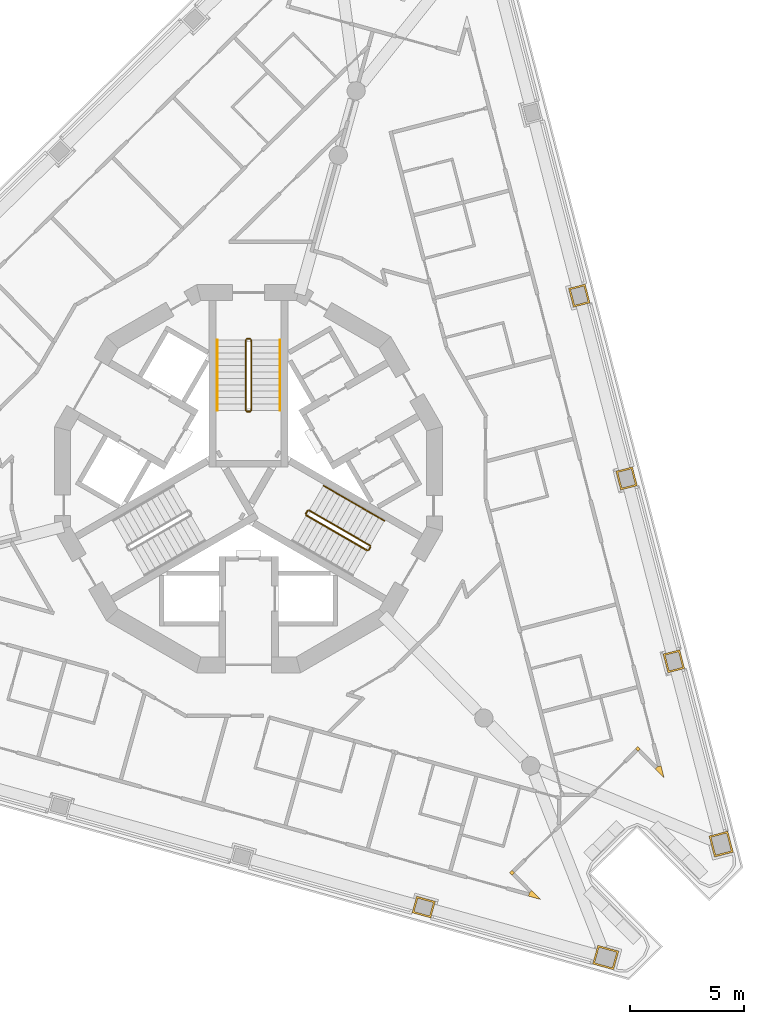
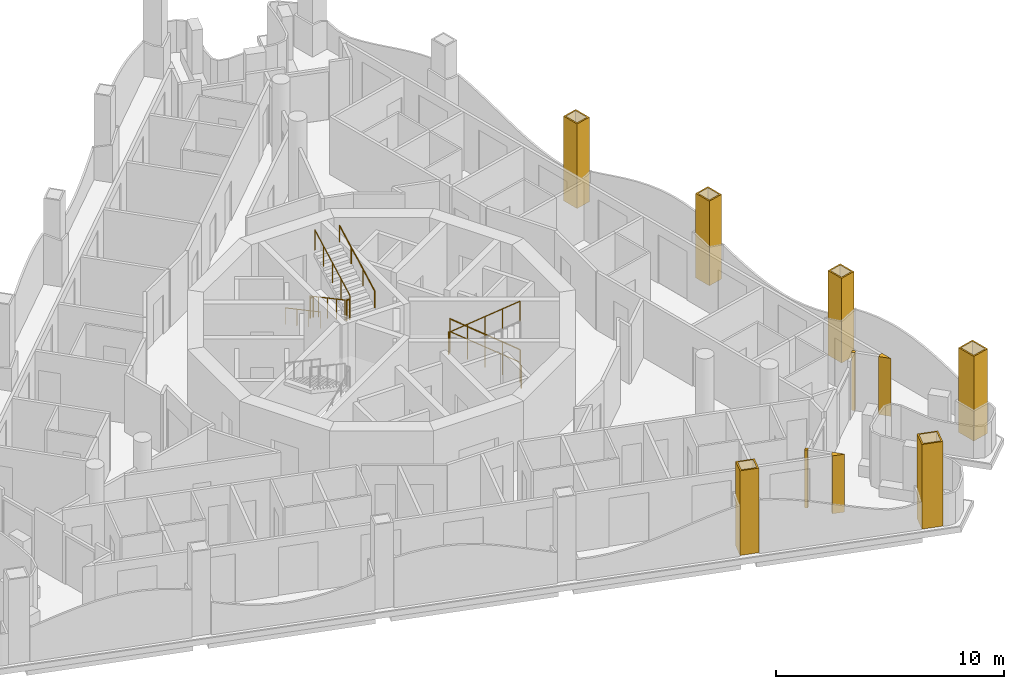
# One storey, part 13 of 15: 12 railings, 10 coverings.
"""IFC4 building model written with IfcOpenShell, lengths in metres."""

from ifc_helpers import new_model, si_unit, direction, frame, origin, origin_2d, place, context, subcontext, project, spatial, polyline, circle, outline, extrude, material, layer, layer_set, type_object, element, save


model = new_model("IFC4")

# Units and contexts
model_context = context("Model", 3, precision=1e-05, world=origin(), true_north=direction((0.0, 1.0)))
body_context = subcontext(model_context, "Body", "Model", "MODEL_VIEW")
ifc_project = project(units=[si_unit("LENGTHUNIT", "METRE"), si_unit("AREAUNIT", "SQUARE_METRE"), si_unit("VOLUMEUNIT", "CUBIC_METRE"), si_unit("PLANEANGLEUNIT", "RADIAN"), si_unit("MASSUNIT", "GRAM", prefix="KILO")], contexts=[model_context])

# Site, building, storey
site_placement = place(None, origin())
site = spatial("IfcSite", under=ifc_project, at=site_placement, CompositionType="ELEMENT")
building_placement = place(site_placement, origin())
building = spatial("IfcBuilding", under=site, at=building_placement, Name="Trine Commons Tower", CompositionType="ELEMENT")
storey_placement = place(building_placement, frame((0.0, 0.0, 263.699951171875)))
storey = spatial("IfcBuildingStorey", under=building, at=storey_placement, Name="L69", CompositionType="ELEMENT", Elevation=263.699951171875)

# Coverings
ifc_material_1 = material(Name="Aluminium-framed insulated wall panel", Category="aluminium")
ifc_layer_1 = layer(ifc_material_1, 0.14990234375)
ifc_layer_set_1 = layer_set([ifc_layer_1], Name="Aluminium-framed insulated wall panel")
covering_type_1 = type_object("IfcCoveringType", Name="Glazing corner post, aluminium", PredefinedType="CLADDING", material=ifc_layer_set_1)
covering_1_placement = place(storey_placement, origin())
element("IfcCovering", 1, at=covering_1_placement, inside=storey, type_object=covering_type_1, Name="Glazing corner post 7-06", PredefinedType="CLADDING", context=body_context, shape_type="SweptSolid", body=[
    extrude(outline(polyline([(97.80859375, 49.78515625), (98.200927734375, 49.3857421875), (98.060791015625, 49.927734375), (97.91552734375, 49.890380859375), (97.91552734375, 49.890380859375), (97.80859375, 49.78515625)])), origin(), (0.0, 0.0, 1.0), 3.10009765625),
])
covering_2_placement = place(storey_placement, origin())
element("IfcCovering", 2, at=covering_2_placement, inside=storey, type_object=covering_type_1, Name="Glazing corner post 7-07", PredefinedType="CLADDING", context=body_context, shape_type="SweptSolid", body=[
    extrude(outline(polyline([(96.9423828125, 50.66650390625), (97.047607421875, 50.5595703125), (97.154541015625, 50.66455078125), (97.04931640625, 50.771484375), (96.9423828125, 50.66650390625)])), origin(), (0.0, 0.0, 1.0), 3.10009765625),
])
covering_3_placement = place(storey_placement, origin())
element("IfcCovering", 3, at=covering_3_placement, inside=storey, type_object=covering_type_1, Name="Glazing corner post 7-08", PredefinedType="CLADDING", context=body_context, shape_type="SweptSolid", body=[
    extrude(outline(polyline([(91.5341796875, 45.1416015625), (91.64111328125, 45.24658203125), (91.535888671875, 45.353515625), (91.428955078125, 45.24853515625), (91.5341796875, 45.1416015625)])), origin(), (0.0, 0.0, 1.0), 3.10009765625),
])
covering_4_placement = place(storey_placement, origin())
element("IfcCovering", 4, at=covering_4_placement, inside=storey, type_object=covering_type_1, Name="Glazing corner post 7-09", PredefinedType="CLADDING", context=body_context, shape_type="SweptSolid", body=[
    extrude(outline(polyline([(92.255126953125, 44.222412109375), (92.79443359375, 44.072998046875), (92.402099609375, 44.47216796875), (92.295166015625, 44.3671875), (92.255126953125, 44.222412109375)])), origin(), (0.0, 0.0, 1.0), 3.10009765625),
])
ifc_material_2 = material(Name="Limestone, honed", Category="masonry")
ifc_layer_2 = layer(ifc_material_2, 0.074951171875)
ifc_layer_set_2 = layer_set([ifc_layer_2], Name="Limestone, honed")
covering_type_2 = type_object("IfcCoveringType", Name="Limestone column cladding 75", PredefinedType="CLADDING", material=ifc_layer_set_2)
covering_5_placement = place(storey_placement, origin())
element("IfcCovering", 5, at=covering_5_placement, inside=storey, type_object=covering_type_2, Name="Limestone pier cladding 7-01", PredefinedType="CLADDING", context=body_context, shape_type="SweptSolid", body=[
    extrude(outline(polyline([(95.292724609375, 42.0673828125), (95.0654296875, 41.248291015625), (95.98095703125, 40.994384765625), (96.2080078125, 41.8134765625), (95.292724609375, 42.0673828125)]), holes=[polyline([(95.344970703125, 41.97509765625), (95.15771484375, 41.300537109375), (95.9287109375, 41.086669921875), (96.11572265625, 41.76123046875), (95.344970703125, 41.97509765625)])]), origin(), (0.0, 0.0, 1.0), 4.527099609375),
])
covering_6_placement = place(storey_placement, origin())
element("IfcCovering", 6, at=covering_6_placement, inside=storey, type_object=covering_type_2, Name="Limestone pier cladding 7-02", PredefinedType="CLADDING", context=body_context, shape_type="SweptSolid", body=[
    extrude(outline(polyline([(87.359619140625, 44.215576171875), (87.158935546875, 43.492919921875), (87.97802734375, 43.265869140625), (88.1787109375, 43.988525390625), (87.359619140625, 44.215576171875)]), holes=[polyline([(87.41162109375, 44.123291015625), (87.25146484375, 43.545166015625), (87.92578125, 43.358154296875), (88.086181640625, 43.936279296875), (87.41162109375, 44.123291015625)])]), origin(), (0.0, 0.0, 1.0), 4.527099609375),
])
covering_7_placement = place(storey_placement, origin())
element("IfcCovering", 7, at=covering_7_placement, inside=storey, type_object=covering_type_2, Name="Limestone pier cladding 7-15", PredefinedType="CLADDING", context=body_context, shape_type="SweptSolid", body=[
    extrude(outline(polyline([(94.738525390625, 71.02099609375), (94.012451171875, 70.833251953125), (94.225341796875, 70.01025390625), (94.951416015625, 70.197998046875), (94.738525390625, 71.02099609375)]), holes=[polyline([(94.684814453125, 70.9296875), (94.10400390625, 70.779296875), (94.279296875, 70.101806640625), (94.860107421875, 70.251953125), (94.684814453125, 70.9296875)])]), origin(), (0.0, 0.0, 1.0), 4.527099609375),
])
covering_8_placement = place(storey_placement, origin())
element("IfcCovering", 8, at=covering_8_placement, inside=storey, type_object=covering_type_2, Name="Limestone pier cladding 7-16", PredefinedType="CLADDING", context=body_context, shape_type="SweptSolid", body=[
    extrude(outline(polyline([(96.808837890625, 63.015625), (96.082763671875, 62.827880859375), (96.295654296875, 62.0048828125), (97.021728515625, 62.192626953125), (96.808837890625, 63.015625)]), holes=[polyline([(96.755126953125, 62.92431640625), (96.17431640625, 62.77392578125), (96.349609375, 62.09619140625), (96.930419921875, 62.24658203125), (96.755126953125, 62.92431640625)])]), origin(), (0.0, 0.0, 1.0), 4.527099609375),
])
covering_9_placement = place(storey_placement, origin())
element("IfcCovering", 9, at=covering_9_placement, inside=storey, type_object=covering_type_2, Name="Limestone pier cladding 7-17", PredefinedType="CLADDING", context=body_context, shape_type="SweptSolid", body=[
    extrude(outline(polyline([(98.87939453125, 55.010498046875), (98.1533203125, 54.822509765625), (98.3662109375, 53.99951171875), (99.09228515625, 54.1875), (98.87939453125, 55.010498046875)]), holes=[polyline([(98.825439453125, 54.9189453125), (98.24462890625, 54.768798828125), (98.419921875, 54.091064453125), (99.000732421875, 54.2412109375), (98.825439453125, 54.9189453125)])]), origin(), (0.0, 0.0, 1.0), 4.527099609375),
])
covering_10_placement = place(storey_placement, origin())
element("IfcCovering", 10, at=covering_10_placement, inside=storey, type_object=covering_type_2, Name="Limestone pier cladding 7-18", PredefinedType="CLADDING", context=body_context, shape_type="SweptSolid", body=[
    extrude(outline(polyline([(100.985595703125, 47.06591796875), (100.16259765625, 46.853271484375), (100.400390625, 45.933349609375), (101.223388671875, 46.146240234375), (100.985595703125, 47.06591796875)]), holes=[polyline([(100.931640625, 46.974609375), (100.25390625, 46.79931640625), (100.454345703125, 46.02490234375), (101.132080078125, 46.2001953125), (100.931640625, 46.974609375)])]), origin(), (0.0, 0.0, 1.0), 4.527099609375),
])

# Railings
ifc_material_3 = material(Name="Stainless steel balustrade", Category="steel")
railing_type_1 = type_object("IfcRailingType", Name="Stair guard, steel balustrade 1100", PredefinedType="GUARDRAIL", material=ifc_material_3)
railing_1_placement = place(storey_placement, frame((79.875, 68.570556640625, 0.150146484375)))
element("IfcRailing", 11, at=railing_1_placement, inside=storey, type_object=railing_type_1, Name="L69 ST1C stair guard 1", PredefinedType="GUARDRAIL", context=body_context, shape_type="SweptSolid", body=[
    extrude(circle(Radius=0.02392578125, at=origin_2d()), frame((0.0, 0.0, 1.076171875), z_axis=(0.0, -0.881496589024, 0.472190389079), x_axis=(1.0, 0.0, 0.0)), (0.0, 0.0, 1.0), 3.494140625),
    extrude(circle(Radius=0.02099609375, at=origin_2d()), origin(), (0.0, 0.0, 1.0), 1.052001953125),
    extrude(circle(Radius=0.02099609375, at=origin_2d()), frame((0.0, -0.77001953125, 0.41259765625)), (0.0, 0.0, 1.0), 1.052001953125),
    extrude(circle(Radius=0.02099609375, at=origin_2d()), frame((0.0, -1.5400390625, 0.824951171875)), (0.0, 0.0, 1.0), 1.052001953125),
    extrude(circle(Radius=0.02099609375, at=origin_2d()), frame((0.0, -2.31005859375, 1.2373046875)), (0.0, 0.0, 1.0), 1.052001953125),
    extrude(circle(Radius=0.02099609375, at=origin_2d()), frame((0.0, -3.080078125, 1.64990234375)), (0.0, 0.0, 1.0), 1.052001953125),
])
railing_2_placement = place(storey_placement, frame((79.925048828125, 65.440673828125, 1.800048828125)))
element("IfcRailing", 12, at=railing_2_placement, inside=storey, type_object=railing_type_1, Name="L69 ST1C stair guard 2", PredefinedType="GUARDRAIL", context=body_context, shape_type="SweptSolid", body=[
    extrude(circle(Radius=0.02392578125, at=origin_2d()), frame((0.0, 0.0, 1.076171875), z_axis=(1.0, 0.0, 0.0), x_axis=(0.0, 1.0, 0.0)), (0.0, 0.0, 1.0), 0.14990234375),
    extrude(circle(Radius=0.02099609375, at=origin_2d()), origin(), (0.0, 0.0, 1.0), 1.052001953125),
    extrude(circle(Radius=0.02099609375, at=origin_2d()), frame((0.14990234375, 0.0, 0.0)), (0.0, 0.0, 1.0), 1.052001953125),
])
railing_3_placement = place(storey_placement, frame((80.125, 65.490478515625, 1.949951171875)))
element("IfcRailing", 13, at=railing_3_placement, inside=storey, type_object=railing_type_1, Name="L69 ST1C stair guard 3", PredefinedType="GUARDRAIL", context=body_context, shape_type="SweptSolid", body=[
    extrude(circle(Radius=0.02392578125, at=origin_2d()), frame((0.0, 0.0, 1.076171875), z_axis=(0.0, 0.881467505477, 0.472244678941), x_axis=(-1.0, 0.0, 0.0)), (0.0, 0.0, 1.0), 3.494140625),
    extrude(circle(Radius=0.02099609375, at=origin_2d()), origin(), (0.0, 0.0, 1.0), 1.052001953125),
    extrude(circle(Radius=0.02099609375, at=origin_2d()), frame((0.0, 0.77001953125, 0.41259765625)), (0.0, 0.0, 1.0), 1.052001953125),
    extrude(circle(Radius=0.02099609375, at=origin_2d()), frame((0.0, 1.5400390625, 0.8251953125)), (0.0, 0.0, 1.0), 1.052001953125),
    extrude(circle(Radius=0.02099609375, at=origin_2d()), frame((0.0, 2.31005859375, 1.237548828125)), (0.0, 0.0, 1.0), 1.052001953125),
    extrude(circle(Radius=0.02099609375, at=origin_2d()), frame((0.0, 3.080078125, 1.650146484375)), (0.0, 0.0, 1.0), 1.052001953125),
])
railing_4_placement = place(storey_placement, frame((79.925048828125, 68.62060546875, 0.0)))
element("IfcRailing", 14, at=railing_4_placement, inside=storey, type_object=railing_type_1, Name="L69 ST1C stair guard 4", PredefinedType="GUARDRAIL", context=body_context, shape_type="SweptSolid", body=[
    extrude(circle(Radius=0.02392578125, at=origin_2d()), frame((0.0, 0.0, 1.076171875), z_axis=(1.0, 0.0, 0.0), x_axis=(0.0, 1.0, 0.0)), (0.0, 0.0, 1.0), 0.14990234375),
    extrude(circle(Radius=0.02099609375, at=origin_2d()), origin(), (0.0, 0.0, 1.0), 1.052001953125),
    extrude(circle(Radius=0.02099609375, at=origin_2d()), frame((0.14990234375, 0.0, 0.0)), (0.0, 0.0, 1.0), 1.052001953125),
])
railing_5_placement = place(storey_placement, frame((85.31982421875, 59.572998046875, 0.150146484375)))
element("IfcRailing", 15, at=railing_5_placement, inside=storey, type_object=railing_type_1, Name="L69 ST3C stair guard 1", PredefinedType="GUARDRAIL", context=body_context, shape_type="SweptSolid", body=[
    extrude(circle(Radius=0.02392578125, at=origin_2d()), frame((0.0, 0.0, 1.076171875), z_axis=(-0.76340495495, 0.440743040072, 0.472184759798), x_axis=(-0.499992328818, -0.866029832698, 0.0)), (0.0, 0.0, 1.0), 3.494140625),
    extrude(circle(Radius=0.02099609375, at=origin_2d()), origin(), (0.0, 0.0, 1.0), 1.052001953125),
    extrude(circle(Radius=0.02099609375, at=origin_2d()), frame((-0.6669921875, 0.385009765625, 0.41259765625)), (0.0, 0.0, 1.0), 1.052001953125),
    extrude(circle(Radius=0.02099609375, at=origin_2d()), frame((-1.333740234375, 0.77001953125, 0.824951171875)), (0.0, 0.0, 1.0), 1.052001953125),
    extrude(circle(Radius=0.02099609375, at=origin_2d()), frame((-2.00048828125, 1.155029296875, 1.2373046875)), (0.0, 0.0, 1.0), 1.052001953125),
    extrude(circle(Radius=0.02099609375, at=origin_2d()), frame((-2.66748046875, 1.5400390625, 1.64990234375)), (0.0, 0.0, 1.0), 1.052001953125),
])
railing_6_placement = place(storey_placement, frame((82.584228515625, 61.0947265625, 1.800048828125)))
element("IfcRailing", 16, at=railing_6_placement, inside=storey, type_object=railing_type_1, Name="L69 ST3C stair guard 2", PredefinedType="GUARDRAIL", context=body_context, shape_type="SweptSolid", body=[
    extrude(circle(Radius=0.02392578125, at=origin_2d()), frame((0.0, 0.0, 1.076171875), z_axis=(-0.501036270542, -0.865426285481, 0.0), x_axis=(0.865426285481, -0.501036270542, 0.0)), (0.0, 0.0, 1.0), 0.150146484375),
    extrude(circle(Radius=0.02099609375, at=origin_2d()), origin(), (0.0, 0.0, 1.0), 1.052001953125),
    extrude(circle(Radius=0.02099609375, at=origin_2d()), frame((-0.0751953125, -0.1298828125, 0.0)), (0.0, 0.0, 1.0), 1.052001953125),
])
railing_7_placement = place(storey_placement, frame((82.52734375, 60.896484375, 1.949951171875)))
element("IfcRailing", 17, at=railing_7_placement, inside=storey, type_object=railing_type_1, Name="L69 ST3C stair guard 3", PredefinedType="GUARDRAIL", context=body_context, shape_type="SweptSolid", body=[
    extrude(circle(Radius=0.02392578125, at=origin_2d()), frame((0.0, 0.0, 1.076171875), z_axis=(0.763379768245, -0.440728498818, 0.472239049384), x_axis=(0.499992328818, 0.866029832698, 0.0)), (0.0, 0.0, 1.0), 3.494384765625),
    extrude(circle(Radius=0.02099609375, at=origin_2d()), origin(), (0.0, 0.0, 1.0), 1.052001953125),
    extrude(circle(Radius=0.02099609375, at=origin_2d()), frame((0.6669921875, -0.385009765625, 0.41259765625)), (0.0, 0.0, 1.0), 1.052001953125),
    extrude(circle(Radius=0.02099609375, at=origin_2d()), frame((1.333740234375, -0.77001953125, 0.8251953125)), (0.0, 0.0, 1.0), 1.052001953125),
    extrude(circle(Radius=0.02099609375, at=origin_2d()), frame((2.00048828125, -1.155029296875, 1.237548828125)), (0.0, 0.0, 1.0), 1.052001953125),
    extrude(circle(Radius=0.02099609375, at=origin_2d()), frame((2.66748046875, -1.5400390625, 1.650146484375)), (0.0, 0.0, 1.0), 1.052001953125),
])
railing_8_placement = place(storey_placement, frame((85.338134765625, 59.504638671875, 0.0)))
element("IfcRailing", 18, at=railing_8_placement, inside=storey, type_object=railing_type_1, Name="L69 ST3C stair guard 4", PredefinedType="GUARDRAIL", context=body_context, shape_type="SweptSolid", body=[
    extrude(circle(Radius=0.02392578125, at=origin_2d()), frame((0.0, 0.0, 1.076171875), z_axis=(-0.499816412211, -0.866131372301, 0.0), x_axis=(0.866131372301, -0.499816412211, 0.0)), (0.0, 0.0, 1.0), 0.14990234375),
    extrude(circle(Radius=0.02099609375, at=origin_2d()), origin(), (0.0, 0.0, 1.0), 1.052001953125),
    extrude(circle(Radius=0.02099609375, at=origin_2d()), frame((-0.074951171875, -0.1298828125, 0.0)), (0.0, 0.0, 1.0), 1.052001953125),
])
ifc_material_4 = material(Name="Stainless steel handrail", Category="steel")
railing_type_2 = type_object("IfcRailingType", Name="Stair handrail, steel 900", PredefinedType="HANDRAIL", material=ifc_material_4)
railing_9_placement = place(storey_placement, frame((78.625, 68.570556640625, 0.150146484375)))
element("IfcRailing", 19, at=railing_9_placement, inside=storey, type_object=railing_type_2, Name="L69 ST1C stair handrail 1", PredefinedType="HANDRAIL", context=body_context, shape_type="SweptSolid", body=[
    extrude(circle(Radius=0.02099609375, at=origin_2d()), frame((0.0, 0.0, 0.87890625), z_axis=(0.0, -0.881496589024, 0.472190389079), x_axis=(1.0, 0.0, 0.0)), (0.0, 0.0, 1.0), 3.494140625),
    extrude(circle(Radius=0.01513671875, at=origin_2d()), origin(), (0.0, 0.0, 1.0), 0.85791015625),
    extrude(circle(Radius=0.01513671875, at=origin_2d()), frame((0.0, -1.026611328125, 0.550048828125)), (0.0, 0.0, 1.0), 0.85791015625),
    extrude(circle(Radius=0.01513671875, at=origin_2d()), frame((0.0, -2.053466796875, 1.099853515625)), (0.0, 0.0, 1.0), 0.85791015625),
    extrude(circle(Radius=0.01513671875, at=origin_2d()), frame((0.0, -3.080078125, 1.64990234375)), (0.0, 0.0, 1.0), 0.85791015625),
])
railing_10_placement = place(storey_placement, frame((81.375, 65.490478515625, 1.949951171875)))
element("IfcRailing", 20, at=railing_10_placement, inside=storey, type_object=railing_type_2, Name="L69 ST1C stair handrail 2", PredefinedType="HANDRAIL", context=body_context, shape_type="SweptSolid", body=[
    extrude(circle(Radius=0.02099609375, at=origin_2d()), frame((0.0, 0.0, 0.87890625), z_axis=(0.0, 0.881467505477, 0.472244678941), x_axis=(-1.0, 0.0, 0.0)), (0.0, 0.0, 1.0), 3.494140625),
    extrude(circle(Radius=0.01513671875, at=origin_2d()), origin(), (0.0, 0.0, 1.0), 0.85791015625),
    extrude(circle(Radius=0.01513671875, at=origin_2d()), frame((0.0, 1.026611328125, 0.550048828125)), (0.0, 0.0, 1.0), 0.85791015625),
    extrude(circle(Radius=0.01513671875, at=origin_2d()), frame((0.0, 2.053466796875, 1.10009765625)), (0.0, 0.0, 1.0), 0.85791015625),
    extrude(circle(Radius=0.01513671875, at=origin_2d()), frame((0.0, 3.080078125, 1.650146484375)), (0.0, 0.0, 1.0), 0.85791015625),
])
for number, where, name in (
    (21, (85.94482421875, 60.655517578125, 0.150146484375), "L69 ST3C stair handrail 1"),
    (22, (84.611083984375, 61.425537109375, 0.97509765625), "L69 ST3C stair handrail 2"),
):
    element("IfcRailing", number, at=place(storey_placement, frame(where)), inside=storey, type_object=railing_type_2, Name=name, PredefinedType="HANDRAIL", context=body_context, shape_type="SweptSolid", body=[
        extrude(circle(Radius=0.02099609375, at=origin_2d()), frame((0.0, 0.0, 0.87890625), z_axis=(-0.76340495495, 0.440743040072, 0.472184759798), x_axis=(-0.499992328818, -0.866029832698, 0.0)), (0.0, 0.0, 1.0), 1.7470703125),
        extrude(circle(Radius=0.01513671875, at=origin_2d()), origin(), (0.0, 0.0, 1.0), 0.85791015625),
        extrude(circle(Radius=0.01513671875, at=origin_2d()), frame((-0.6669921875, 0.385009765625, 0.41259765625)), (0.0, 0.0, 1.0), 0.85791015625),
        extrude(circle(Radius=0.01513671875, at=origin_2d()), frame((-1.333740234375, 0.77001953125, 0.824951171875)), (0.0, 0.0, 1.0), 0.85791015625),
    ])

save(model, "model.ifc")
